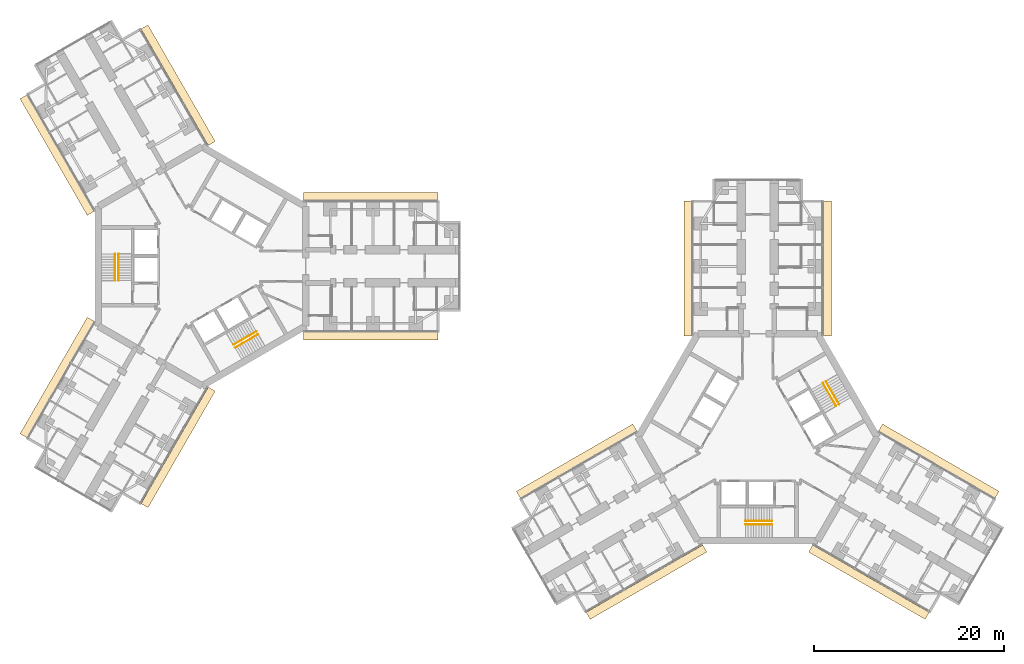
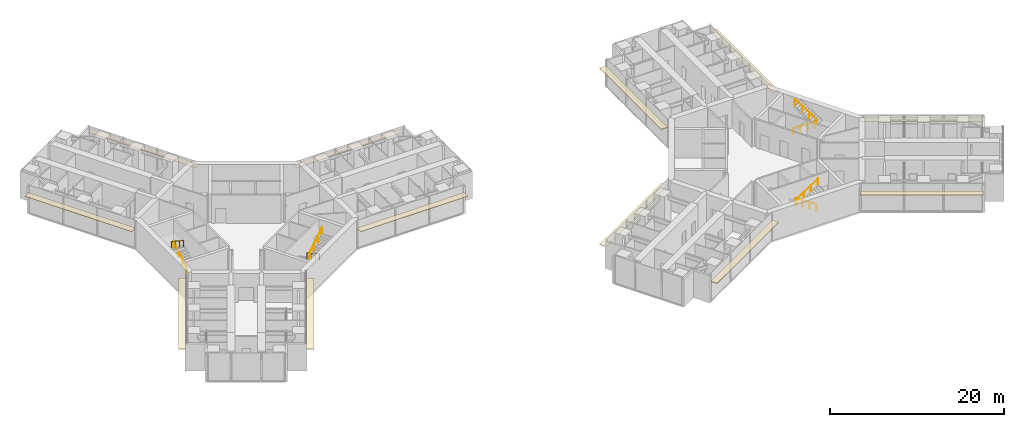
# One storey, part 25 of 25: 12 coverings, 8 railings.
"""IFC4 building model written with IfcOpenShell, lengths in metres."""

from ifc_helpers import new_model, si_unit, direction, frame, origin, origin_2d, place, context, subcontext, project, spatial, rectangle, circle, extrude, material, layer, layer_set, type_object, element, save


model = new_model("IFC4")

# Units and contexts
model_context = context("Model", 3, precision=1e-05, world=origin(), true_north=direction((0.0, 1.0)))
body_context = subcontext(model_context, "Body", "Model", "MODEL_VIEW")
ifc_project = project(units=[si_unit("LENGTHUNIT", "METRE"), si_unit("AREAUNIT", "SQUARE_METRE"), si_unit("VOLUMEUNIT", "CUBIC_METRE"), si_unit("PLANEANGLEUNIT", "RADIAN"), si_unit("MASSUNIT", "GRAM", prefix="KILO")], contexts=[model_context])

# Site, building, storey
site_placement = place(None, origin())
site = spatial("IfcSite", under=ifc_project, at=site_placement, CompositionType="ELEMENT")
building_placement = place(site_placement, origin())
building = spatial("IfcBuilding", under=site, at=building_placement, Name="Upepo Twin Towers", CompositionType="ELEMENT")
storey_placement = place(building_placement, frame((0.0, 0.0, 80.5)))
storey = spatial("IfcBuildingStorey", under=building, at=storey_placement, Name="L19", CompositionType="ELEMENT", Elevation=80.5)

# Coverings
ifc_material_1 = material(Name="Anodised aluminium, pale silver", Category="aluminium")
ifc_layer = layer(ifc_material_1, 0.080078125)
ifc_layer_set = layer_set([ifc_layer], Name="Brise-soleil blade 850 pale aluminium")
covering_type = type_object("IfcCoveringType", Name="Brise-soleil blade 850 pale aluminium", PredefinedType="USERDEFINED", material=ifc_layer_set)
for number, where, z_axis, x_axis, name in (
    (1, (17.7685546875, 7.35498046875, 2.909912109375), (0.0, 0.0, 1.0), (1.0, 0.0, 0.0), "T1 L19 wing A brise-soleil L"),
    (2, (17.7685546875, -7.35498046875, 2.909912109375), (0.0, 0.0, 1.0), (1.0, 0.0, 0.0), "T1 L19 wing A brise-soleil R"),
    (3, (-15.25390625, 11.71044921875, 2.909912109375), (0.0, 0.0, 1.0), (-0.50000003023, 0.866025386331, 0.0), "T1 L19 wing B brise-soleil L"),
    (4, (-2.5146484375, 19.0654296875, 2.909912109375), (0.0, 0.0, 1.0), (-0.50000003023, 0.866025386331, 0.0), "T1 L19 wing B brise-soleil R"),
    (5, (-2.5146484375, -19.0654296875, 2.909912109375), (0.0, 0.0, 1.0), (-0.50000003023, -0.866025386331, 0.0), "T1 L19 wing C brise-soleil L"),
    (6, (-15.25390625, -11.71044921875, 2.909912109375), (0.0, 0.0, 1.0), (-0.50000003023, -0.866025386331, 0.0), "T1 L19 wing C brise-soleil R"),
    (7, (51.14501953125, -0.2314453125, 2.909912109375), (0.0, 0.0, 1.0), (0.0, 1.0, 0.0), "T2 L19 wing A brise-soleil L"),
    (8, (65.85498046875, -0.2314453125, 2.909912109375), (0.0, 0.0, 1.0), (0.0, 1.0, 0.0), "T2 L19 wing A brise-soleil R"),
    (9, (46.78955078125, -33.25390625, 2.909912109375), (0.0, 0.0, 1.0), (-0.866025386331, -0.50000003023, 0.0), "T2 L19 wing B brise-soleil L"),
    (10, (39.4345703125, -20.5146484375, 2.909912109375), (0.0, 0.0, 1.0), (-0.866025386331, -0.50000003023, 0.0), "T2 L19 wing B brise-soleil R"),
    (11, (77.5654296875, -20.5146484375, 2.909912109375), (0.0, 0.0, 1.0), (0.866025386331, -0.50000003023, 0.0), "T2 L19 wing C brise-soleil L"),
    (12, (70.21044921875, -33.25390625, 2.909912109375), (0.0, 0.0, 1.0), (0.866025386331, -0.50000003023, 0.0), "T2 L19 wing C brise-soleil R"),
):
    element("IfcCovering", number, at=place(storey_placement, frame(where, z_axis=z_axis, x_axis=x_axis)), inside=storey, type_object=covering_type, Name=name, ObjectType="SUNSHADE", PredefinedType="USERDEFINED", context=body_context, shape_type="SweptSolid", body=[
        extrude(rectangle(XDim=14.162841796875, YDim=0.85009765625, at=origin_2d()), origin(), (0.0, 0.0, 1.0), 0.080078125),
    ])

# Railings
ifc_material_2 = material(Name="Stainless steel", Category="steel")
railing_type = type_object("IfcRailingType", Name="Stair handrail 900", PredefinedType="HANDRAIL", material=ifc_material_2)
railing_1_placement = place(storey_placement, frame((-8.800048828125, -1.52001953125, 0.181884765625)))
element("IfcRailing", 13, at=railing_1_placement, inside=storey, type_object=railing_type, Name="T1 stair S1 L19 handrail 1", PredefinedType="HANDRAIL", context=body_context, shape_type="SweptSolid", body=[
    extrude(circle(Radius=0.02392578125, at=origin_2d()), frame((0.0, 0.0, 0.8759765625), z_axis=(0.0, 0.838705829183, 0.544584733623), x_axis=(-1.0, 0.0, 0.0)), (0.0, 0.0, 1.0), 3.338623046875),
    extrude(circle(Radius=0.02099609375, at=origin_2d()), origin(), (0.0, 0.0, 1.0), 0.851806640625),
    extrude(circle(Radius=0.02099609375, at=origin_2d()), frame((0.0, 0.933349609375, 0.60595703125)), (0.0, 0.0, 1.0), 0.851806640625),
    extrude(circle(Radius=0.02099609375, at=origin_2d()), frame((0.0, 1.86669921875, 1.212158203125)), (0.0, 0.0, 1.0), 0.851806640625),
    extrude(circle(Radius=0.02099609375, at=origin_2d()), frame((0.0, 2.800048828125, 1.818115234375)), (0.0, 0.0, 1.0), 0.851806640625),
])
railing_2_placement = place(storey_placement, frame((-9.158447265625, 1.280029296875, 2.181884765625)))
element("IfcRailing", 14, at=railing_2_placement, inside=storey, type_object=railing_type, Name="T1 stair S1 L19 handrail 2", PredefinedType="HANDRAIL", context=body_context, shape_type="SweptSolid", body=[
    extrude(circle(Radius=0.02392578125, at=origin_2d()), frame((0.0, 0.0, 0.8759765625), z_axis=(0.0, -0.838705829183, 0.544584733623), x_axis=(1.0, 0.0, 0.0)), (0.0, 0.0, 1.0), 3.338623046875),
    extrude(circle(Radius=0.02099609375, at=origin_2d()), origin(), (0.0, 0.0, 1.0), 0.851806640625),
    extrude(circle(Radius=0.02099609375, at=origin_2d()), frame((0.0, -0.933349609375, 0.60595703125)), (0.0, 0.0, 1.0), 0.851806640625),
    extrude(circle(Radius=0.02099609375, at=origin_2d()), frame((0.0, -1.86669921875, 1.212158203125)), (0.0, 0.0, 1.0), 0.851806640625),
    extrude(circle(Radius=0.02099609375, at=origin_2d()), frame((0.0, -2.800048828125, 1.818115234375)), (0.0, 0.0, 1.0), 0.851806640625),
])
railing_3_placement = place(storey_placement, frame((5.71630859375, -6.861083984375, 0.181884765625)))
element("IfcRailing", 15, at=railing_3_placement, inside=storey, type_object=railing_type, Name="T1 stair S2 L19 handrail 1", PredefinedType="HANDRAIL", context=body_context, shape_type="SweptSolid", body=[
    extrude(circle(Radius=0.02392578125, at=origin_2d()), frame((0.0, 0.0, 0.8759765625), z_axis=(-0.726336304947, -0.419332699614, 0.544605966869), x_axis=(0.49998411664, -0.866034573852, 0.0)), (0.0, 0.0, 1.0), 3.33837890625),
    extrude(circle(Radius=0.02099609375, at=origin_2d()), origin(), (0.0, 0.0, 1.0), 0.851806640625),
    extrude(circle(Radius=0.02099609375, at=origin_2d()), frame((-0.808349609375, -0.466552734375, 0.60595703125)), (0.0, 0.0, 1.0), 0.851806640625),
    extrude(circle(Radius=0.02099609375, at=origin_2d()), frame((-1.616455078125, -0.933349609375, 1.212158203125)), (0.0, 0.0, 1.0), 0.851806640625),
    extrude(circle(Radius=0.02099609375, at=origin_2d()), frame((-2.4248046875, -1.39990234375, 1.818115234375)), (0.0, 0.0, 1.0), 0.851806640625),
])
railing_4_placement = place(storey_placement, frame((3.470703125, -8.5712890625, 2.181884765625)))
element("IfcRailing", 16, at=railing_4_placement, inside=storey, type_object=railing_type, Name="T1 stair S2 L19 handrail 2", PredefinedType="HANDRAIL", context=body_context, shape_type="SweptSolid", body=[
    extrude(circle(Radius=0.02392578125, at=origin_2d()), frame((0.0, 0.0, 0.8759765625), z_axis=(0.726336304947, 0.419332699614, 0.544605966869), x_axis=(-0.49998411664, 0.866034573852, 0.0)), (0.0, 0.0, 1.0), 3.33837890625),
    extrude(circle(Radius=0.02099609375, at=origin_2d()), origin(), (0.0, 0.0, 1.0), 0.851806640625),
    extrude(circle(Radius=0.02099609375, at=origin_2d()), frame((0.808349609375, 0.466552734375, 0.60595703125)), (0.0, 0.0, 1.0), 0.851806640625),
    extrude(circle(Radius=0.02099609375, at=origin_2d()), frame((1.616455078125, 0.933349609375, 1.212158203125)), (0.0, 0.0, 1.0), 0.851806640625),
    extrude(circle(Radius=0.02099609375, at=origin_2d()), frame((2.4248046875, 1.39990234375, 1.818115234375)), (0.0, 0.0, 1.0), 0.851806640625),
])
railing_5_placement = place(storey_placement, frame((60.02001953125, -26.800048828125, 0.181884765625)))
element("IfcRailing", 17, at=railing_5_placement, inside=storey, type_object=railing_type, Name="T2 stair S1 L19 handrail 1", PredefinedType="HANDRAIL", context=body_context, shape_type="SweptSolid", body=[
    extrude(circle(Radius=0.02392578125, at=origin_2d()), frame((0.0, 0.0, 0.8759765625), z_axis=(-0.838705829183, 0.0, 0.544584733623), x_axis=(0.0, -1.0, 0.0)), (0.0, 0.0, 1.0), 3.338623046875),
    extrude(circle(Radius=0.02099609375, at=origin_2d()), origin(), (0.0, 0.0, 1.0), 0.851806640625),
    extrude(circle(Radius=0.02099609375, at=origin_2d()), frame((-0.933349609375, 0.0, 0.60595703125)), (0.0, 0.0, 1.0), 0.851806640625),
    extrude(circle(Radius=0.02099609375, at=origin_2d()), frame((-1.86669921875, 0.0, 1.212158203125)), (0.0, 0.0, 1.0), 0.851806640625),
    extrude(circle(Radius=0.02099609375, at=origin_2d()), frame((-2.800048828125, 0.0, 1.818115234375)), (0.0, 0.0, 1.0), 0.851806640625),
])
railing_6_placement = place(storey_placement, frame((57.219970703125, -27.158447265625, 2.181884765625)))
element("IfcRailing", 18, at=railing_6_placement, inside=storey, type_object=railing_type, Name="T2 stair S1 L19 handrail 2", PredefinedType="HANDRAIL", context=body_context, shape_type="SweptSolid", body=[
    extrude(circle(Radius=0.02392578125, at=origin_2d()), frame((0.0, 0.0, 0.8759765625), z_axis=(0.838705829183, 0.0, 0.544584733623), x_axis=(0.0, 1.0, 0.0)), (0.0, 0.0, 1.0), 3.338623046875),
    extrude(circle(Radius=0.02099609375, at=origin_2d()), origin(), (0.0, 0.0, 1.0), 0.851806640625),
    extrude(circle(Radius=0.02099609375, at=origin_2d()), frame((0.933349609375, 0.0, 0.60595703125)), (0.0, 0.0, 1.0), 0.851806640625),
    extrude(circle(Radius=0.02099609375, at=origin_2d()), frame((1.86669921875, 0.0, 1.212158203125)), (0.0, 0.0, 1.0), 0.851806640625),
    extrude(circle(Radius=0.02099609375, at=origin_2d()), frame((2.800048828125, 0.0, 1.818115234375)), (0.0, 0.0, 1.0), 0.851806640625),
])
railing_7_placement = place(storey_placement, frame((65.361083984375, -12.28369140625, 0.181884765625)))
element("IfcRailing", 19, at=railing_7_placement, inside=storey, type_object=railing_type, Name="T2 stair S2 L19 handrail 1", PredefinedType="HANDRAIL", context=body_context, shape_type="SweptSolid", body=[
    extrude(circle(Radius=0.02392578125, at=origin_2d()), frame((0.0, 0.0, 0.8759765625), z_axis=(0.419332699614, -0.726336304947, 0.544605966869), x_axis=(0.866034573852, 0.49998411664, 0.0)), (0.0, 0.0, 1.0), 3.33837890625),
    extrude(circle(Radius=0.02099609375, at=origin_2d()), origin(), (0.0, 0.0, 1.0), 0.851806640625),
    extrude(circle(Radius=0.02099609375, at=origin_2d()), frame((0.466552734375, -0.808349609375, 0.60595703125)), (0.0, 0.0, 1.0), 0.851806640625),
    extrude(circle(Radius=0.02099609375, at=origin_2d()), frame((0.933349609375, -1.616455078125, 1.212158203125)), (0.0, 0.0, 1.0), 0.851806640625),
    extrude(circle(Radius=0.02099609375, at=origin_2d()), frame((1.39990234375, -2.4248046875, 1.818115234375)), (0.0, 0.0, 1.0), 0.851806640625),
])
railing_8_placement = place(storey_placement, frame((67.0712890625, -14.529296875, 2.181884765625)))
element("IfcRailing", 20, at=railing_8_placement, inside=storey, type_object=railing_type, Name="T2 stair S2 L19 handrail 2", PredefinedType="HANDRAIL", context=body_context, shape_type="SweptSolid", body=[
    extrude(circle(Radius=0.02392578125, at=origin_2d()), frame((0.0, 0.0, 0.8759765625), z_axis=(-0.419332699614, 0.726336304947, 0.544605966869), x_axis=(-0.866034573852, -0.49998411664, 0.0)), (0.0, 0.0, 1.0), 3.33837890625),
    extrude(circle(Radius=0.02099609375, at=origin_2d()), origin(), (0.0, 0.0, 1.0), 0.851806640625),
    extrude(circle(Radius=0.02099609375, at=origin_2d()), frame((-0.466552734375, 0.808349609375, 0.60595703125)), (0.0, 0.0, 1.0), 0.851806640625),
    extrude(circle(Radius=0.02099609375, at=origin_2d()), frame((-0.933349609375, 1.616455078125, 1.212158203125)), (0.0, 0.0, 1.0), 0.851806640625),
    extrude(circle(Radius=0.02099609375, at=origin_2d()), frame((-1.39990234375, 2.4248046875, 1.818115234375)), (0.0, 0.0, 1.0), 0.851806640625),
])

save(model, "model.ifc")
